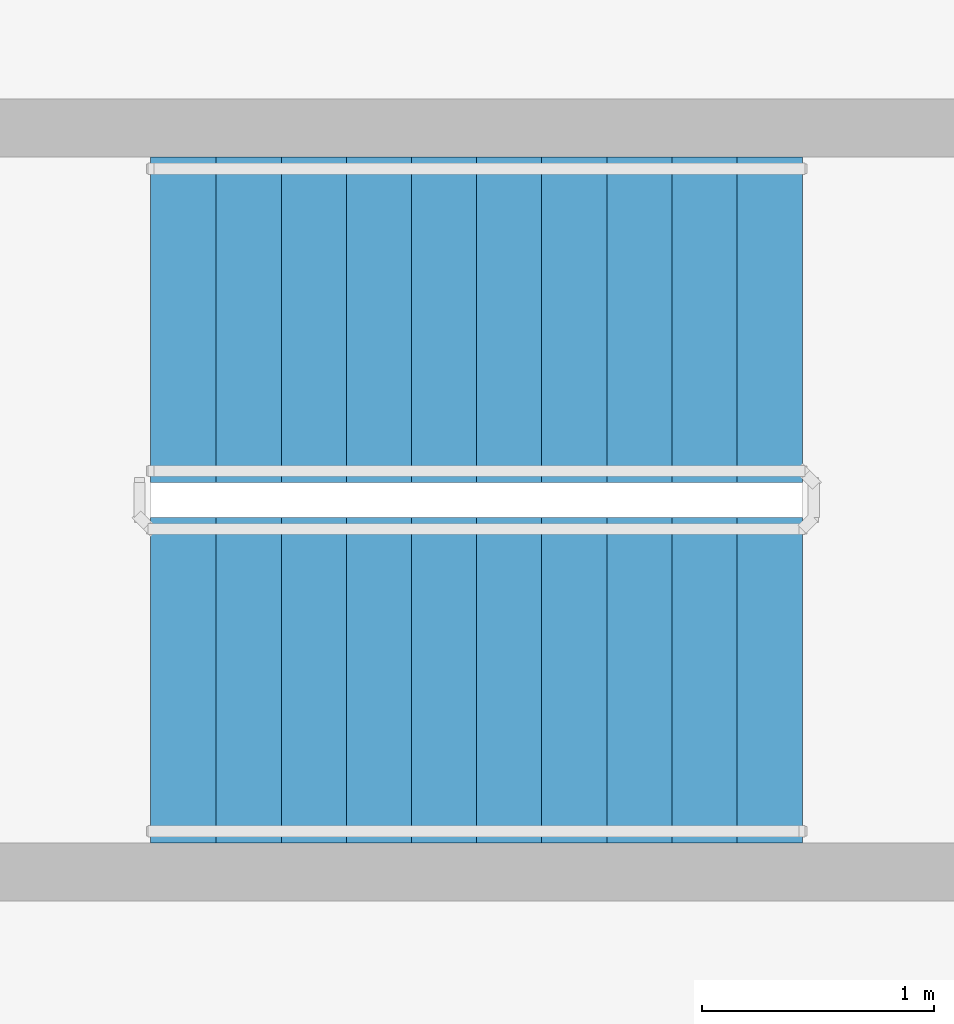
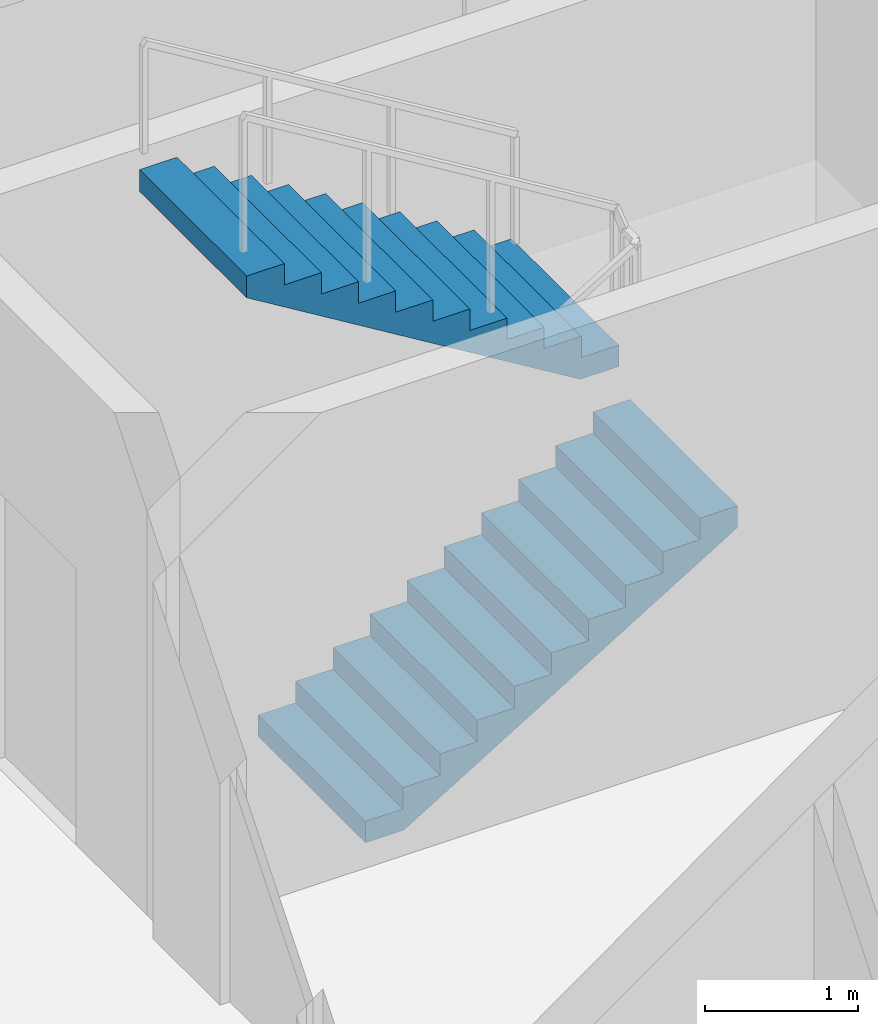
# One storey, part 10 of 12: 2 stair flights, 1 element without a shape of its own.
"""IFC4 building model written with IfcOpenShell, lengths in metres."""

from ifc_helpers import new_model, si_unit, direction, frame, origin, place, context, subcontext, project, spatial, polyline, outline, extrude, material, type_object, element, aggregate, save


model = new_model("IFC4")

# Units and contexts
model_context = context("Model", 3, precision=1e-05, world=origin(), true_north=direction((0.0, 1.0)))
body_context = subcontext(model_context, "Body", "Model", "MODEL_VIEW")
ifc_project = project(units=[si_unit("LENGTHUNIT", "METRE"), si_unit("AREAUNIT", "SQUARE_METRE"), si_unit("VOLUMEUNIT", "CUBIC_METRE"), si_unit("PLANEANGLEUNIT", "RADIAN"), si_unit("MASSUNIT", "GRAM", prefix="KILO")], contexts=[model_context])

# Site, building, storey
site_placement = place(None, origin())
site = spatial("IfcSite", under=ifc_project, at=site_placement, CompositionType="ELEMENT")
building_placement = place(site_placement, origin())
building = spatial("IfcBuilding", under=site, at=building_placement, Name="Chenar Terraces", CompositionType="ELEMENT")
storey_placement = place(building_placement, frame((0.0, 0.0, 350.14990234375)))
storey = spatial("IfcBuildingStorey", under=building, at=storey_placement, Name="L81", CompositionType="ELEMENT", Elevation=350.14990234375)

# Stair, stair flights
ifc_material_1 = material(Name="Reinforced concrete C40/50", Category="concrete")
stair_type = type_object("IfcStairType", Name="Core stair 1400 half-turn", PredefinedType="HALF_TURN_STAIR", material=ifc_material_1)
stair_placement = place(storey_placement, origin())
stair = element("IfcStair", 1, at=stair_placement, inside=storey, type_object=stair_type, Name="L81 Stair 4", PredefinedType="HALF_TURN_STAIR")
ifc_material_2 = material(Name="Reinforced concrete C40/50", Category="concrete")
stair_flight_type = type_object("IfcStairFlightType", Name="Core stair flight 1400", PredefinedType="STRAIGHT", material=ifc_material_2)
stair_flight_1_placement = place(storey_placement, frame((17.25, 48.72509765625, 0.0), z_axis=(0.0, 0.0, 1.0), x_axis=(1.0, 0.0, 0.0)))
stair_flight_1 = element("IfcStairFlight", 2, at=stair_flight_1_placement, type_object=stair_flight_type, Name="ST4 flight 1", NumberOfRisers=11, NumberOfTreads=10, PredefinedType="STRAIGHT", RiserHeight=0.170454545, TreadLength=0.28, context=body_context, shape_type="SweptSolid", body=[
    extrude(outline(polyline([(-0.0029296875, 0.0), (-0.0029296875, 0.17041015625), (0.0, 0.17041015625), (0.280029296875, 0.17041015625), (0.280029296875, 0.3408203125), (0.56005859375, 0.3408203125), (0.56005859375, 0.511474609375), (0.840087890625, 0.511474609375), (0.840087890625, 0.681884765625), (1.1201171875, 0.681884765625), (1.1201171875, 0.852294921875), (1.39990234375, 0.852294921875), (1.39990234375, 1.022705078125), (1.679931640625, 1.022705078125), (1.679931640625, 1.193115234375), (1.9599609375, 1.193115234375), (1.9599609375, 1.363525390625), (2.239990234375, 1.363525390625), (2.239990234375, 1.5341796875), (2.52001953125, 1.5341796875), (2.52001953125, 1.70458984375), (2.800048828125, 1.70458984375), (2.802978515625, 1.70458984375), (2.802978515625, 1.529052734375), (2.800048828125, 1.529052734375), (0.288330078125, 0.0), (-0.0029296875, 0.0)])), frame((0.0, 0.699951171875, 0.0), z_axis=(0.0, -1.0, 0.0), x_axis=(1.0, 0.0, 0.0)), (0.0, 0.0, 1.0), 1.39990234375),
])
stair_flight_2_placement = place(storey_placement, frame((20.050048828125, 50.27490234375, 1.875), z_axis=(0.0, 0.0, 1.0), x_axis=(-1.0, 0.0, 0.0)))
stair_flight_2 = element("IfcStairFlight", 3, at=stair_flight_2_placement, type_object=stair_flight_type, Name="ST4 flight 2", NumberOfRisers=11, NumberOfTreads=10, PredefinedType="STRAIGHT", RiserHeight=0.170454545, TreadLength=0.28, context=body_context, shape_type="SweptSolid", body=[
    extrude(outline(polyline([(-0.0029296875, 0.0), (-0.0029296875, 0.17041015625), (0.0, 0.17041015625), (0.280029296875, 0.17041015625), (0.280029296875, 0.3408203125), (0.56005859375, 0.3408203125), (0.56005859375, 0.511474609375), (0.840087890625, 0.511474609375), (0.840087890625, 0.681884765625), (1.1201171875, 0.681884765625), (1.1201171875, 0.852294921875), (1.39990234375, 0.852294921875), (1.39990234375, 1.022705078125), (1.679931640625, 1.022705078125), (1.679931640625, 1.193115234375), (1.9599609375, 1.193115234375), (1.9599609375, 1.363525390625), (2.239990234375, 1.363525390625), (2.239990234375, 1.5341796875), (2.52001953125, 1.5341796875), (2.52001953125, 1.70458984375), (2.800048828125, 1.70458984375), (2.802978515625, 1.70458984375), (2.802978515625, 1.529052734375), (2.800048828125, 1.529052734375), (0.288330078125, 0.0), (-0.0029296875, 0.0)])), frame((0.0, 0.699951171875, 0.0), z_axis=(0.0, -1.0, 0.0), x_axis=(1.0, 0.0, 0.0)), (0.0, 0.0, 1.0), 1.39990234375),
])
aggregate(stair, [stair_flight_1, stair_flight_2])

save(model, "model.ifc")
